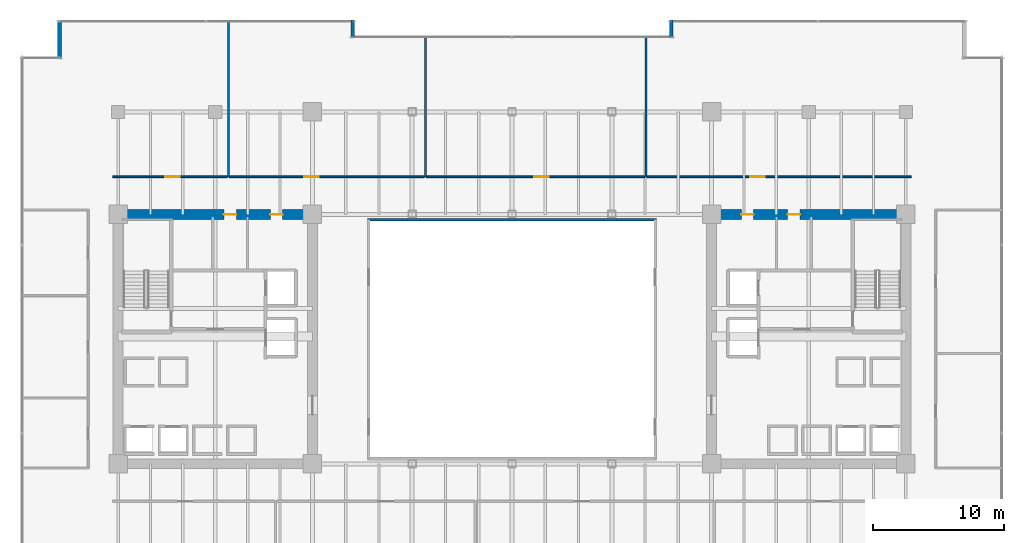
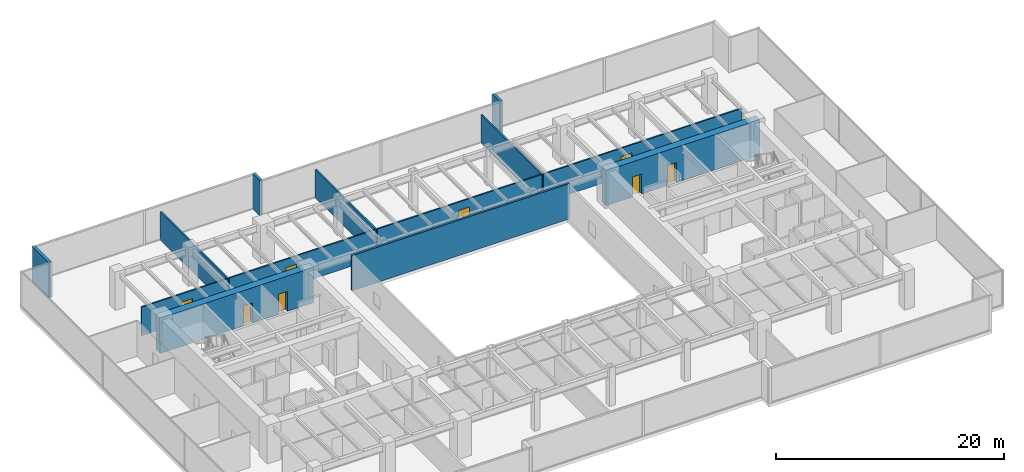
# One storey, part 31 of 35: 13 walls, 8 doors, 8 openings.
"""IFC4 building model written with IfcOpenShell, lengths in metres."""

from ifc_helpers import new_model, si_unit, direction, frame, frame_2d, origin, place, context, subcontext, project, spatial, rectangle, extrude, source, transform, mapped, material, layer, layer_set, type_object, type_shapes, element, fill, save


model = new_model("IFC4")

# Units and contexts
model_context = context("Model", 3, precision=1e-05, world=origin(), true_north=direction((0.0, 1.0)))
body_context = subcontext(model_context, "Body", "Model", "MODEL_VIEW")
ifc_project = project(units=[si_unit("LENGTHUNIT", "METRE"), si_unit("AREAUNIT", "SQUARE_METRE"), si_unit("VOLUMEUNIT", "CUBIC_METRE"), si_unit("PLANEANGLEUNIT", "RADIAN"), si_unit("MASSUNIT", "GRAM", prefix="KILO")], contexts=[model_context])

# Site, building, storey
site_placement = place(None, origin())
site = spatial("IfcSite", under=ifc_project, at=site_placement, CompositionType="ELEMENT")
building_placement = place(site_placement, origin())
building = spatial("IfcBuilding", under=site, at=building_placement, Name="Haelvirn Gate Laboratories", CompositionType="ELEMENT")
storey_placement = place(building_placement, frame((0.0, 0.0, 37.5)))
storey = spatial("IfcBuildingStorey", under=building, at=storey_placement, Name="L09", CompositionType="ELEMENT", Elevation=37.5)

# Walls
ifc_material_1 = material(Name="Thermally-broken bronze aluminium rainscreen & mineral wool", Category="aluminium")
ifc_layer_1 = layer(ifc_material_1, 0.280029296875, Name="EW-TERR-280")
ifc_layer_set_1 = layer_set([ifc_layer_1], Name="Thermally-broken bronze aluminium rainscreen & mineral wool")
wall_type_1 = type_object("IfcWallType", Name="EW-TERR-280", PredefinedType="STANDARD", material=ifc_layer_set_1)
for number, where, z_axis, x_axis, name in (
    (1, (49.5400390625, 48.60009765625, 0.0), (0.0, 0.0, 1.0), (0.0, -1.0, 0.0), "L09 Atrium Recess Bronze Return Wall 11"),
    (2, (25.260009765625, 47.31201171875, 0.0), (0.0, 0.0, 1.0), (0.0, 1.0, 0.0), "L09 Atrium Recess Bronze Return Wall 13"),
):
    element("IfcWall", number, at=place(storey_placement, frame(where, z_axis=z_axis, x_axis=x_axis)), inside=storey, type_object=wall_type_1, Name=name, PredefinedType="STANDARD", context=body_context, shape_type="SweptSolid", body=[
        extrude(rectangle(XDim=1.2880859375, YDim=0.280029296875, at=frame_2d((0.64404296875, 0.0))), origin(), (0.0, 0.0, 1.0), 3.780029296875),
    ])
wall_1_placement = place(storey_placement, frame((2.93994140625, 48.60009765625, 0.0), z_axis=(0.0, 0.0, 1.0), x_axis=(0.0, -1.0, 0.0)))
element("IfcWall", 3, at=wall_1_placement, inside=storey, type_object=wall_type_1, Name="L09 Atrium Recess Bronze Return Wall 15", PredefinedType="STANDARD", context=body_context, shape_type="SweptSolid", body=[
    extrude(rectangle(XDim=2.88818359375, YDim=0.280029296875, at=frame_2d((1.444091796875, 0.0))), origin(), (0.0, 0.0, 1.0), 3.780029296875),
])
ifc_material_2 = material(Name="Double-layer acoustic gypsum laboratory partition", Category="gypsum")
ifc_layer_2 = layer(ifc_material_2, 0.159912109375, Name="IW-ACOUST-160")
ifc_layer_set_2 = layer_set([ifc_layer_2], Name="Double-layer acoustic gypsum laboratory partition")
wall_type_2 = type_object("IfcWallType", Name="IW-ACOUST-160", PredefinedType="PARTITIONING", material=ifc_layer_set_2)
wall_2_placement = place(storey_placement, frame((15.800048828125, 36.659912109375, 0.0), z_axis=(0.0, 0.0, 1.0), x_axis=(0.0, 1.0, 0.0)))
element("IfcWall", 4, at=wall_2_placement, inside=storey, type_object=wall_type_2, Name="L09 Interior Wall IW-L09-NDIV-01", PredefinedType="PARTITIONING", context=body_context, shape_type="SweptSolid", body=[
    extrude(rectangle(XDim=11.830078125, YDim=0.159912109375, at=frame_2d((5.9150390625, 0.0))), origin(), (0.0, 0.0, 1.0), 3.014892578125),
])
for number, where, z_axis, x_axis, name in (
    (5, (30.800048828125, 36.659912109375, 0.0), (0.0, 0.0, 1.0), (0.0, 1.0, 0.0), "L09 Interior Wall IW-L09-NDIV-02"),
    (6, (47.60009765625, 36.659912109375, 0.0), (0.0, 0.0, 1.0), (0.0, 1.0, 0.0), "L09 Interior Wall IW-L09-NDIV-03"),
):
    element("IfcWall", number, at=place(storey_placement, frame(where, z_axis=z_axis, x_axis=x_axis)), inside=storey, type_object=wall_type_2, Name=name, PredefinedType="PARTITIONING", context=body_context, shape_type="SweptSolid", body=[
        extrude(rectangle(XDim=10.630126953125, YDim=0.159912109375, at=frame_2d((5.31494140625, 0.0))), origin(), (0.0, 0.0, 1.0), 3.014892578125),
    ])
ifc_material_3 = material(Name="Tempered fire-rated borosilicate glass & anodised aluminium", Category="aluminium")
ifc_layer_3 = layer(ifc_material_3, 0.195068359375, Name="IW-GLAZ-200")
ifc_layer_set_3 = layer_set([ifc_layer_3], Name="Tempered fire-rated borosilicate glass & anodised aluminium")
wall_type_3 = type_object("IfcWallType", Name="IW-GLAZ-200", PredefinedType="SOLIDWALL", material=ifc_layer_set_3)
wall_3_placement = place(storey_placement, frame((26.39990234375, 33.39990234375, 0.0), z_axis=(0.0, 0.0, 1.0), x_axis=(1.0, 0.0, 0.0)))
element("IfcWall", 7, at=wall_3_placement, inside=storey, type_object=wall_type_3, Name="L09 Interior Wall IW-L09-ATRIUM-N", PredefinedType="SOLIDWALL", context=body_context, shape_type="SweptSolid", body=[
    extrude(rectangle(XDim=22.0, YDim=0.195068359375, at=frame_2d((11.0, 0.0))), origin(), (0.0, 0.0, 1.0), 3.780029296875),
])

# Wall, opening, door
ifc_material_4 = material(Name="Acoustic mineral-wool gypsum board partition", Category="gypsum")
ifc_layer_4 = layer(ifc_material_4, 0.139892578125, Name="IW-PART-140")
ifc_layer_set_4 = layer_set([ifc_layer_4], Name="Acoustic mineral-wool gypsum board partition")
wall_type_4 = type_object("IfcWallType", Name="IW-PART-140", PredefinedType="PARTITIONING", material=ifc_layer_set_4)
wall_4_placement = place(storey_placement, frame((6.97998046875, 36.659912109375, 0.0), z_axis=(0.0, 0.0, 1.0), x_axis=(1.0, 0.0, 0.0)))
wall_4 = element("IfcWall", 8, at=wall_4_placement, inside=storey, type_object=wall_type_4, Name="L09 Interior Wall IW-L09-NCORR-01", PredefinedType="PARTITIONING", context=body_context, shape_type="SweptSolid", body=[
    extrude(rectangle(XDim=8.739990234375, YDim=0.139892578125, at=frame_2d((4.3701171875, 0.0))), origin(), (0.0, 0.0, 1.0), 3.06494140625),
])
opening_1_placement = place(wall_4_placement, frame((4.0283203125, 0.0, 0.0)))
opening_1 = element("IfcOpeningElement", 9, at=opening_1_placement, cuts=wall_4, Name="Opening D1", PredefinedType="OPENING", context=body_context, shape_type="SweptSolid", body=[
    extrude(rectangle(XDim=1.10009765625, YDim=2.179931640625, at=frame_2d((0.550048828125, 1.08984375))), frame((0.0, 0.080078125, 0.0), z_axis=(0.0, -1.0, 0.0), x_axis=(1.0, 0.0, 0.0)), (0.0, 0.0, 1.0), 0.159912109375),
])
ifc_material_5 = material(Name="Vision-panel acoustic solid-core timber lab door", Category="wood")
door_type_1 = type_object("IfcDoorType", Name="DR-LAB-1100", OperationType="NOTDEFINED", PredefinedType="DOOR", material=ifc_material_5)
shared_shape_1 = source(origin(), body_context, "Body", "SweptSolid", [
    extrude(rectangle(XDim=1.10009765625, YDim=2.179931640625, at=frame_2d((0.550048828125, 1.08984375))), frame((0.0, 0.02490234375, 0.0), z_axis=(0.0, -1.0, 0.0), x_axis=(1.0, 0.0, 0.0)), (0.0, 0.0, 1.0), 0.050048828125),
])
type_shapes(door_type_1, [shared_shape_1])
door_1_placement = place(opening_1_placement, origin())
door_1 = element("IfcDoor", 10, at=door_1_placement, inside=storey, type_object=door_type_1, Name="L09 Peer-Review Seminar Room Door N1", OperationType="SINGLE_SWING_LEFT", OverallHeight=2.179931640625, OverallWidth=1.10009765625, PredefinedType="DOOR", context=body_context, shape_type="MappedRepresentation", body=[
    mapped(shared_shape_1, transform((0.0, 0.0, 0.0), scale=1.0)),
])
fill(opening_1, door_1)

wall_5_placement = place(storey_placement, frame((15.8798828125, 36.659912109375, 0.0), z_axis=(0.0, 0.0, 1.0), x_axis=(1.0, 0.0, 0.0)))
wall_5 = element("IfcWall", 11, at=wall_5_placement, inside=storey, type_object=wall_type_4, Name="L09 Interior Wall IW-L09-NCORR-02", PredefinedType="PARTITIONING", context=body_context, shape_type="SweptSolid", body=[
    extrude(rectangle(XDim=14.840087890625, YDim=0.139892578125, at=frame_2d((7.419921875, 0.0))), origin(), (0.0, 0.0, 1.0), 3.06494140625),
])
opening_2_placement = place(wall_5_placement, frame((5.6962890625, 0.0, 0.0)))
opening_2 = element("IfcOpeningElement", 12, at=opening_2_placement, cuts=wall_5, Name="Opening D1", PredefinedType="OPENING", context=body_context, shape_type="SweptSolid", body=[
    extrude(rectangle(XDim=1.10009765625, YDim=2.179931640625, at=frame_2d((0.550048828125, 1.08984375))), frame((0.0, 0.080078125, 0.0), z_axis=(0.0, -1.0, 0.0), x_axis=(1.0, 0.0, 0.0)), (0.0, 0.0, 1.0), 0.159912109375),
])
door_2_placement = place(opening_2_placement, origin())
door_2 = element("IfcDoor", 13, at=door_2_placement, inside=storey, type_object=door_type_1, Name="L09 Colloquium Conference Room Door N2", OperationType="SINGLE_SWING_RIGHT", OverallHeight=2.179931640625, OverallWidth=1.10009765625, PredefinedType="DOOR", context=body_context, shape_type="MappedRepresentation", body=[
    mapped(shared_shape_1, transform((0.0, 0.0, 0.0), scale=1.0)),
])
fill(opening_2, door_2)

wall_6_placement = place(storey_placement, frame((30.8798828125, 36.659912109375, 0.0), z_axis=(0.0, 0.0, 1.0), x_axis=(1.0, 0.0, 0.0)))
wall_6 = element("IfcWall", 14, at=wall_6_placement, inside=storey, type_object=wall_type_4, Name="L09 Interior Wall IW-L09-NCORR-03", PredefinedType="PARTITIONING", context=body_context, shape_type="SweptSolid", body=[
    extrude(rectangle(XDim=16.64013671875, YDim=0.139892578125, at=frame_2d((8.320068359375, 0.0))), origin(), (0.0, 0.0, 1.0), 3.06494140625),
])
opening_3_placement = place(wall_6_placement, frame((8.215087890625, 0.0, 0.0)))
opening_3 = element("IfcOpeningElement", 15, at=opening_3_placement, cuts=wall_6, Name="Opening D1", PredefinedType="OPENING", context=body_context, shape_type="SweptSolid", body=[
    extrude(rectangle(XDim=1.10009765625, YDim=2.179931640625, at=frame_2d((0.550048828125, 1.08984375))), frame((0.0, 0.080078125, 0.0), z_axis=(0.0, -1.0, 0.0), x_axis=(1.0, 0.0, 0.0)), (0.0, 0.0, 1.0), 0.159912109375),
])
door_3_placement = place(opening_3_placement, origin())
door_3 = element("IfcDoor", 16, at=door_3_placement, inside=storey, type_object=door_type_1, Name="L09 Proteomics Mass-Spec Laboratory Door N3", OperationType="SINGLE_SWING_LEFT", OverallHeight=2.179931640625, OverallWidth=1.10009765625, PredefinedType="DOOR", context=body_context, shape_type="MappedRepresentation", body=[
    mapped(shared_shape_1, transform((0.0, 0.0, 0.0), scale=1.0)),
])
fill(opening_3, door_3)

wall_7_placement = place(storey_placement, frame((47.679931640625, 36.659912109375, 0.0), z_axis=(0.0, 0.0, 1.0), x_axis=(1.0, 0.0, 0.0)))
wall_7 = element("IfcWall", 17, at=wall_7_placement, inside=storey, type_object=wall_type_4, Name="L09 Interior Wall IW-L09-NCORR-04", PredefinedType="PARTITIONING", context=body_context, shape_type="SweptSolid", body=[
    extrude(rectangle(XDim=20.14013671875, YDim=0.139892578125, at=frame_2d((10.070068359375, 0.0))), origin(), (0.0, 0.0, 1.0), 3.06494140625),
])
opening_4_placement = place(wall_7_placement, frame((7.869384765625, 0.0, 0.0)))
opening_4 = element("IfcOpeningElement", 18, at=opening_4_placement, cuts=wall_7, Name="Opening D1", PredefinedType="OPENING", context=body_context, shape_type="SweptSolid", body=[
    extrude(rectangle(XDim=1.10009765625, YDim=2.179931640625, at=frame_2d((0.550048828125, 1.08984375))), frame((0.0, 0.080078125, 0.0), z_axis=(0.0, -1.0, 0.0), x_axis=(1.0, 0.0, 0.0)), (0.0, 0.0, 1.0), 0.159912109375),
])
door_4_placement = place(opening_4_placement, origin())
door_4 = element("IfcDoor", 19, at=door_4_placement, inside=storey, type_object=door_type_1, Name="L09 Chemical Synthesis Laboratory Door N4", OperationType="SINGLE_SWING_RIGHT", OverallHeight=2.179931640625, OverallWidth=1.10009765625, PredefinedType="DOOR", context=body_context, shape_type="MappedRepresentation", body=[
    mapped(shared_shape_1, transform((0.0, 0.0, 0.0), scale=1.0)),
])
fill(opening_4, door_4)

# Wall, openings, doors
ifc_material_6 = material(Name="Concrete C70/85", Category="concrete")
ifc_layer_5 = layer(ifc_material_6, 0.75, Name="SW-CORE-750")
ifc_layer_set_5 = layer_set([ifc_layer_5], Name="Concrete C70/85")
wall_type_5 = type_object("IfcWallType", Name="SW-CORE-750", PredefinedType="SHEAR", material=ifc_layer_set_5)
wall_8_placement = place(storey_placement, frame((7.02490234375, 33.800048828125, 0.0), z_axis=(0.0, 0.0, 1.0), x_axis=(1.0, 0.0, 0.0)))
wall_8 = element("IfcWall", 20, at=wall_8_placement, inside=storey, type_object=wall_type_5, Name="L09 W Core Shear Wall N", PredefinedType="SHEAR", context=body_context, shape_type="SweptSolid", body=[
    extrude(rectangle(XDim=15.550048828125, YDim=0.75, at=frame_2d((7.77490234375, 0.0))), origin(), (0.0, 0.0, 1.0), 3.780029296875),
])
opening_5_placement = place(wall_8_placement, frame((8.425048828125, 0.0, 0.0)))
opening_5 = element("IfcOpeningElement", 21, at=opening_5_placement, cuts=wall_8, Name="Opening FD4", PredefinedType="OPENING", context=body_context, shape_type="SweptSolid", body=[
    extrude(rectangle(XDim=0.949951171875, YDim=2.14990234375, at=frame_2d((0.47509765625, 1.074951171875))), frame((0.0, 0.385009765625, 0.0), z_axis=(0.0, -1.0, 0.0), x_axis=(1.0, 0.0, 0.0)), (0.0, 0.0, 1.0), 0.77001953125),
])
opening_6_placement = place(wall_8_placement, frame((11.965087890625, 0.0, 0.0)))
opening_6 = element("IfcOpeningElement", 22, at=opening_6_placement, cuts=wall_8, Name="Opening FD4", PredefinedType="OPENING", context=body_context, shape_type="SweptSolid", body=[
    extrude(rectangle(XDim=0.949951171875, YDim=2.14990234375, at=frame_2d((0.47509765625, 1.074951171875))), frame((0.0, 0.385009765625, 0.0), z_axis=(0.0, -1.0, 0.0), x_axis=(1.0, 0.0, 0.0)), (0.0, 0.0, 1.0), 0.77001953125),
])
ifc_material_7 = material(Name="Fire-rated steel SM355 core service door", Category="steel")
door_type_2 = type_object("IfcDoorType", Name="DR-FD-950", OperationType="NOTDEFINED", PredefinedType="DOOR", material=ifc_material_7)
shared_shape_2 = source(origin(), body_context, "Body", "SweptSolid", [
    extrude(rectangle(XDim=0.949951171875, YDim=2.14990234375, at=frame_2d((0.47509765625, 1.074951171875))), frame((0.0, 0.02490234375, 0.0), z_axis=(0.0, -1.0, 0.0), x_axis=(1.0, 0.0, 0.0)), (0.0, 0.0, 1.0), 0.050048828125),
])
type_shapes(door_type_2, [shared_shape_2])
door_5_placement = place(opening_5_placement, origin())
door_5 = element("IfcDoor", 23, at=door_5_placement, inside=storey, type_object=door_type_2, Name="L09 Accessible Restroom Fire Door", OperationType="SINGLE_SWING_RIGHT", OverallHeight=2.14990234375, OverallWidth=0.949951171875, PredefinedType="DOOR", context=body_context, shape_type="MappedRepresentation", body=[
    mapped(shared_shape_2, transform((0.0, 0.0, 0.0), scale=1.0)),
])
fill(opening_5, door_5)
door_6_placement = place(opening_6_placement, origin())
door_6 = element("IfcDoor", 24, at=door_6_placement, inside=storey, type_object=door_type_2, Name="L09 Staff Restroom Fire Door", OperationType="SINGLE_SWING_LEFT", OverallHeight=2.14990234375, OverallWidth=0.949951171875, PredefinedType="DOOR", context=body_context, shape_type="MappedRepresentation", body=[
    mapped(shared_shape_2, transform((0.0, 0.0, 0.0), scale=1.0)),
])
fill(opening_6, door_6)

wall_9_placement = place(storey_placement, frame((52.22509765625, 33.800048828125, 0.0), z_axis=(0.0, 0.0, 1.0), x_axis=(1.0, 0.0, 0.0)))
wall_9 = element("IfcWall", 25, at=wall_9_placement, inside=storey, type_object=wall_type_5, Name="L09 E Core Shear Wall N", PredefinedType="SHEAR", context=body_context, shape_type="SweptSolid", body=[
    extrude(rectangle(XDim=15.5498046875, YDim=0.75, at=frame_2d((7.77490234375, 0.0))), origin(), (0.0, 0.0, 1.0), 3.780029296875),
])
opening_7_placement = place(wall_9_placement, frame((6.175048828125, 0.0, 0.0)))
opening_7 = element("IfcOpeningElement", 26, at=opening_7_placement, cuts=wall_9, Name="Opening FD4", PredefinedType="OPENING", context=body_context, shape_type="SweptSolid", body=[
    extrude(rectangle(XDim=0.949951171875, YDim=2.14990234375, at=frame_2d((0.47509765625, 1.074951171875))), frame((0.0, 0.385009765625, 0.0), z_axis=(0.0, -1.0, 0.0), x_axis=(1.0, 0.0, 0.0)), (0.0, 0.0, 1.0), 0.77001953125),
])
opening_8_placement = place(wall_9_placement, frame((2.635009765625, 0.0, 0.0)))
opening_8 = element("IfcOpeningElement", 27, at=opening_8_placement, cuts=wall_9, Name="Opening FD4", PredefinedType="OPENING", context=body_context, shape_type="SweptSolid", body=[
    extrude(rectangle(XDim=0.949951171875, YDim=2.14990234375, at=frame_2d((0.47509765625, 1.074951171875))), frame((0.0, 0.385009765625, 0.0), z_axis=(0.0, -1.0, 0.0), x_axis=(1.0, 0.0, 0.0)), (0.0, 0.0, 1.0), 0.77001953125),
])
door_7_placement = place(opening_7_placement, origin())
door_7 = element("IfcDoor", 28, at=door_7_placement, inside=storey, type_object=door_type_2, Name="L09 Accessible Restroom Fire Door", OperationType="SINGLE_SWING_RIGHT", OverallHeight=2.14990234375, OverallWidth=0.949951171875, PredefinedType="DOOR", context=body_context, shape_type="MappedRepresentation", body=[
    mapped(shared_shape_2, transform((0.0, 0.0, 0.0), scale=1.0)),
])
fill(opening_7, door_7)
door_8_placement = place(opening_8_placement, origin())
door_8 = element("IfcDoor", 29, at=door_8_placement, inside=storey, type_object=door_type_2, Name="L09 Staff Restroom Fire Door", OperationType="SINGLE_SWING_LEFT", OverallHeight=2.14990234375, OverallWidth=0.949951171875, PredefinedType="DOOR", context=body_context, shape_type="MappedRepresentation", body=[
    mapped(shared_shape_2, transform((0.0, 0.0, 0.0), scale=1.0)),
])
fill(opening_8, door_8)

save(model, "model.ifc")
